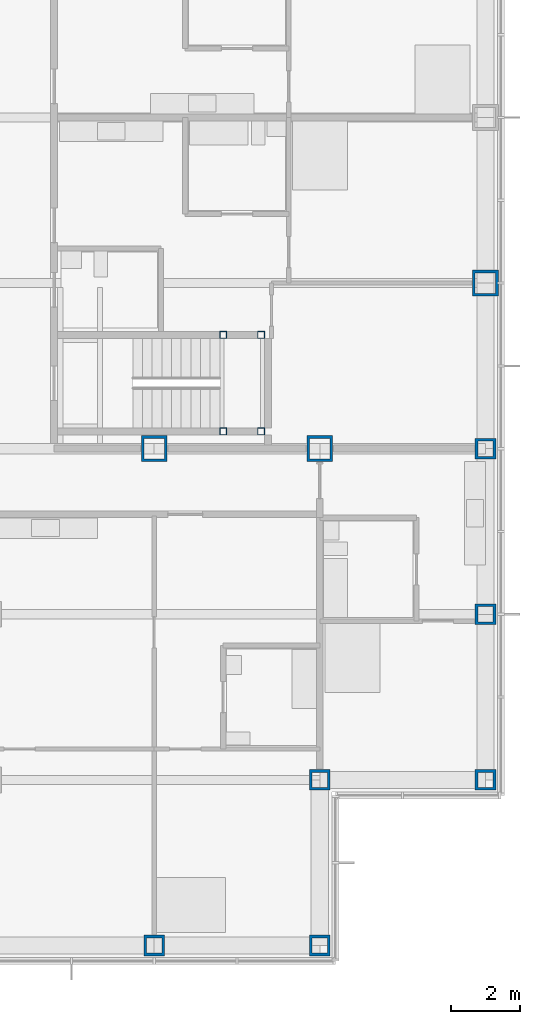
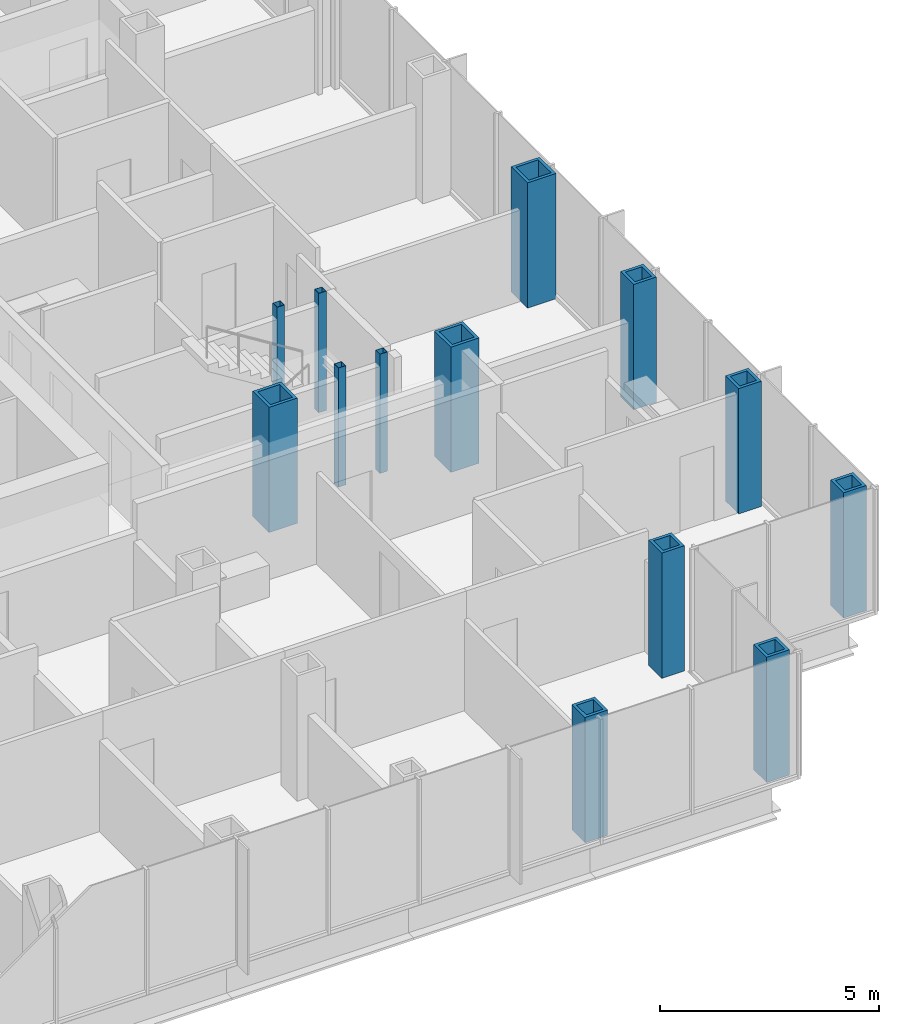
# One storey, part 4 of 21: 13 columns.
"""IFC4 building model written with IfcOpenShell, lengths in metres."""

from ifc_helpers import new_model, si_unit, direction, frame, origin, origin_2d, place, context, subcontext, project, spatial, hollow_rectangle, extrude, material, material_profile, profile_set, type_object, element, save


model = new_model("IFC4")

# Units and contexts
model_context = context("Model", 3, precision=1e-05, world=origin(), true_north=direction((0.0, 1.0)))
body_context = subcontext(model_context, "Body", "Model", "MODEL_VIEW")
ifc_project = project(units=[si_unit("LENGTHUNIT", "METRE"), si_unit("AREAUNIT", "SQUARE_METRE"), si_unit("VOLUMEUNIT", "CUBIC_METRE"), si_unit("PLANEANGLEUNIT", "RADIAN"), si_unit("MASSUNIT", "GRAM", prefix="KILO")], contexts=[model_context])

# Site, building, storey
site_placement = place(None, origin())
site = spatial("IfcSite", under=ifc_project, at=site_placement, CompositionType="ELEMENT")
building_placement = place(site_placement, origin())
building = spatial("IfcBuilding", under=site, at=building_placement, Name="Kvirike Care Tower", CompositionType="ELEMENT")
storey_placement = place(building_placement, frame((0.0, 0.0, 34.0)))
storey = spatial("IfcBuildingStorey", under=building, at=storey_placement, Name="L08", CompositionType="ELEMENT", Elevation=34.0)

# Columns
ifc_material_1 = material(Name="Steel S460", Category="steel")
ifc_material_profile_1 = material_profile(ifc_material_1, hollow_rectangle(XDim=0.60009765625, YDim=0.60009765625, WallThickness=0.080078125, at=origin_2d()), Name="BX 600x600x80")
ifc_profile_set_1 = profile_set([ifc_material_profile_1], Name="Steel S460")
column_type_1 = type_object("IfcColumnType", Name="COLUMN BX 600x600x80", PredefinedType="COLUMN", material=ifc_profile_set_1)
for number, where, z_axis, x_axis, name in (
    (1, (33.60009765625, 14.39990234375, 0.0), (0.0, 0.0, 1.0), (0.0, 1.0, 0.0), "Column D10 L08"),
    (2, (38.39990234375, 14.39990234375, 0.0), (0.0, 0.0, 1.0), (0.0, 1.0, 0.0), "Column D11 L08"),
    (3, (38.39990234375, 19.199951171875, 0.0), (0.0, 0.0, 1.0), (0.0, 1.0, 0.0), "Column E11 L08"),
    (4, (43.199951171875, 19.199951171875, 0.0), (0.0, 0.0, 1.0), (0.0, 1.0, 0.0), "Column E12 L08"),
    (5, (43.199951171875, 24.0, 0.0), (0.0, 0.0, 1.0), (1.0, 0.0, 0.0), "Column F12 L08"),
    (6, (43.199951171875, 28.800048828125, 0.0), (0.0, 0.0, 1.0), (0.0, 1.0, 0.0), "Column G12 L08"),
):
    element("IfcColumn", number, at=place(storey_placement, frame(where, z_axis=z_axis, x_axis=x_axis)), inside=storey, type_object=column_type_1, Name=name, PredefinedType="COLUMN", context=body_context, shape_type="SweptSolid", body=[
        extrude(hollow_rectangle(XDim=0.60009765625, YDim=0.60009765625, WallThickness=0.080078125, at=origin_2d()), origin(), (0.0, 0.0, 1.0), 3.5),
    ])
ifc_material_2 = material(Name="Steel S460", Category="steel")
ifc_material_profile_2 = material_profile(ifc_material_2, hollow_rectangle(XDim=0.75, YDim=0.75, WallThickness=0.080078125, at=origin_2d()), Name="BX 750x750x80")
ifc_profile_set_2 = profile_set([ifc_material_profile_2], Name="Steel S460")
column_type_2 = type_object("IfcColumnType", Name="COLUMN BX 750x750x80", PredefinedType="COLUMN", material=ifc_profile_set_2)
for number, where, z_axis, x_axis, name in (
    (7, (33.60009765625, 28.800048828125, 0.0), (0.0, 0.0, 1.0), (0.0, 1.0, 0.0), "Column G10 L08"),
    (8, (38.39990234375, 28.800048828125, 0.0), (0.0, 0.0, 1.0), (0.0, 1.0, 0.0), "Column G11 L08"),
    (9, (43.199951171875, 33.60009765625, 0.0), (0.0, 0.0, 1.0), (1.0, 0.0, 0.0), "Column H12 L08"),
):
    element("IfcColumn", number, at=place(storey_placement, frame(where, z_axis=z_axis, x_axis=x_axis)), inside=storey, type_object=column_type_2, Name=name, PredefinedType="COLUMN", context=body_context, shape_type="SweptSolid", body=[
        extrude(hollow_rectangle(XDim=0.75, YDim=0.75, WallThickness=0.080078125, at=origin_2d()), origin(), (0.0, 0.0, 1.0), 3.5),
    ])
ifc_material_3 = material(Name="Steel S460", Category="steel")
ifc_material_profile_3 = material_profile(ifc_material_3, hollow_rectangle(XDim=0.199951171875, YDim=0.199951171875, WallThickness=0.008056640625, at=origin_2d()), Name="SHS 200x200x8")
ifc_profile_set_3 = profile_set([ifc_material_profile_3], Name="Steel S460")
column_type_3 = type_object("IfcColumnType", Name="STAIR POST SHS 200x200x8", PredefinedType="COLUMN", material=ifc_profile_set_3)
for number, where, z_axis, x_axis, name in (
    (10, (36.699951171875, 29.300048828125, 0.0), (0.0, 0.0, 1.0), (1.0, 0.0, 0.0), "Stair 2 post 1 L08"),
    (11, (36.699951171875, 32.10009765625, 0.0), (0.0, 0.0, 1.0), (1.0, 0.0, 0.0), "Stair 2 post 2 L08"),
    (12, (35.60009765625, 29.300048828125, 0.0), (0.0, 0.0, 1.0), (1.0, 0.0, 0.0), "Stair 2 post 3 L08"),
    (13, (35.60009765625, 32.10009765625, 0.0), (0.0, 0.0, 1.0), (1.0, 0.0, 0.0), "Stair 2 post 4 L08"),
):
    element("IfcColumn", number, at=place(storey_placement, frame(where, z_axis=z_axis, x_axis=x_axis)), inside=storey, type_object=column_type_3, Name=name, PredefinedType="COLUMN", context=body_context, shape_type="SweptSolid", body=[
        extrude(hollow_rectangle(XDim=0.199951171875, YDim=0.199951171875, WallThickness=0.008056640625, at=origin_2d()), origin(), (0.0, 0.0, 1.0), 3.330078125),
    ])

save(model, "model.ifc")
